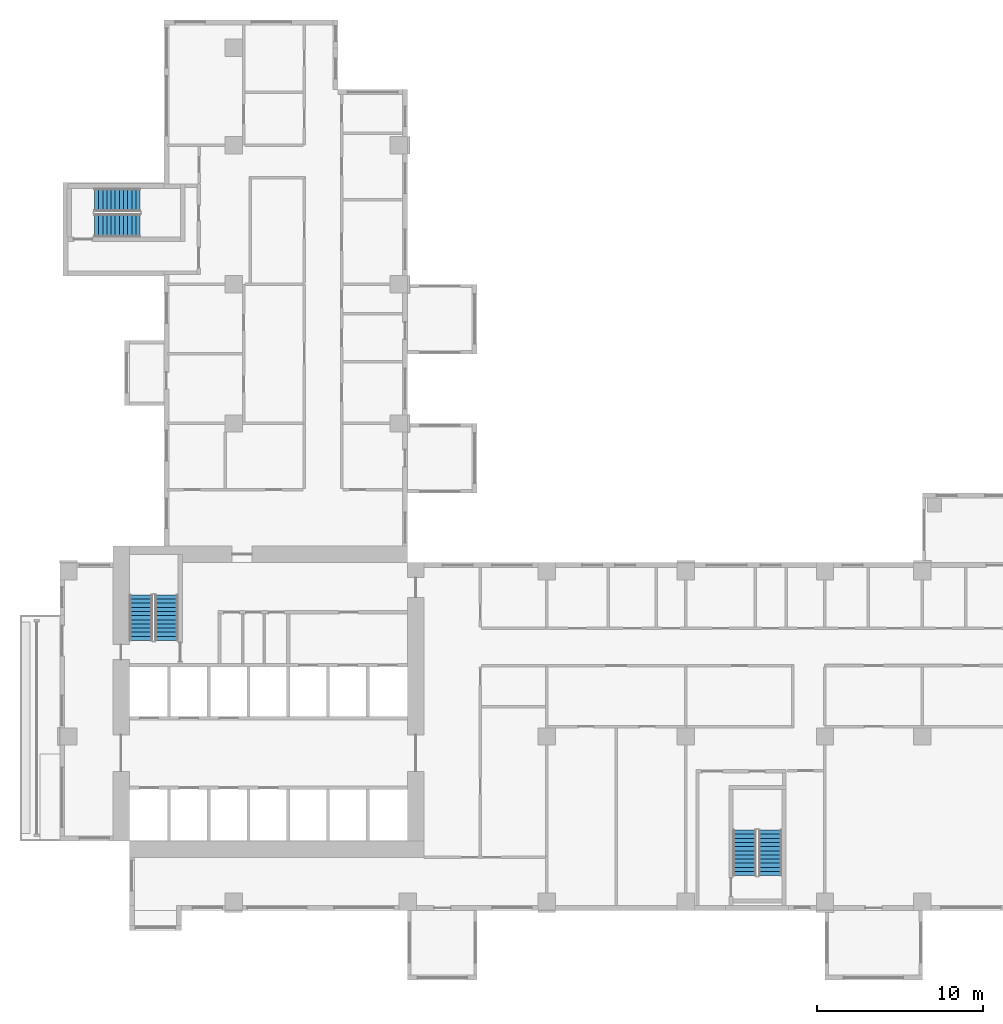
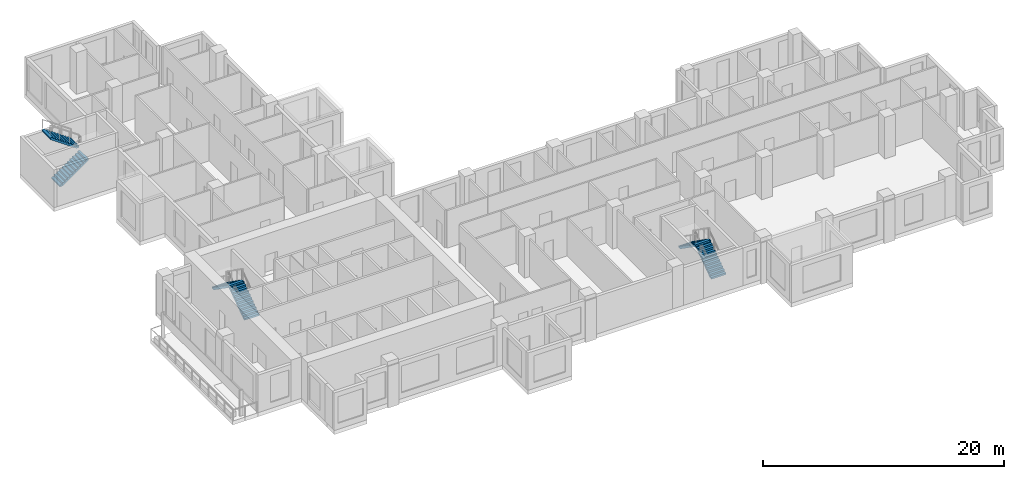
# One storey, part 9 of 14: 6 stair flights, 3 elements without a shape of their own.
"""IFC4 building model written with IfcOpenShell, lengths in metres."""

from ifc_helpers import new_model, si_unit, direction, frame, origin, place, context, subcontext, project, spatial, polyline, outline, extrude, source, transform, mapped, material, type_object, element, aggregate, save


model = new_model("IFC4")

# Units and contexts
model_context = context("Model", 3, precision=1e-05, world=origin(), true_north=direction((0.0, 1.0)))
body_context = subcontext(model_context, "Body", "Model", "MODEL_VIEW")
ifc_project = project(units=[si_unit("LENGTHUNIT", "METRE"), si_unit("AREAUNIT", "SQUARE_METRE"), si_unit("VOLUMEUNIT", "CUBIC_METRE"), si_unit("PLANEANGLEUNIT", "RADIAN"), si_unit("MASSUNIT", "GRAM", prefix="KILO")], contexts=[model_context])

# Site, building, storey
site_placement = place(None, origin())
site = spatial("IfcSite", under=ifc_project, at=site_placement, CompositionType="ELEMENT")
building_placement = place(site_placement, origin())
building = spatial("IfcBuilding", under=site, at=building_placement, Name="Aurelian Terraces", CompositionType="ELEMENT")
storey_placement = place(building_placement, frame((0.0, 0.0, 111.9)))
storey = spatial("IfcBuildingStorey", under=building, at=storey_placement, Name="L24", CompositionType="ELEMENT", Elevation=111.9)

# Stair, stair flights
ifc_material = material(Name="Concrete fc' 40 MPa", Category="concrete")
stair_type = type_object("IfcStairType", Name="Stair 1400", PredefinedType="HALF_TURN_STAIR", material=ifc_material)
stair_1_placement = place(storey_placement, origin())
stair_1 = element("IfcStair", 1, at=stair_1_placement, inside=storey, type_object=stair_type, Name="L24 S1", PredefinedType="HALF_TURN_STAIR")
stair_flight_type = type_object("IfcStairFlightType", Name="Stair flight 1400", PredefinedType="STRAIGHT", material=ifc_material)
shared_shape = source(origin(), body_context, "Body", "SweptSolid", [
    extrude(outline(polyline([(0.0, 0.0), (0.0, 0.175), (0.25, 0.175), (0.25, 0.35), (0.5, 0.35), (0.5, 0.525), (0.75, 0.525), (0.75, 0.7), (1.0, 0.7), (1.0, 0.875), (1.25, 0.875), (1.25, 1.05), (1.5, 1.05), (1.5, 1.225), (1.75, 1.225), (1.75, 1.4), (2.0, 1.4), (2.0, 1.575), (2.25, 1.575), (2.25, 1.75), (2.5, 1.75), (2.5, 1.925), (2.75, 1.925), (2.75, 2.1), (2.75, 1.7419), (0.2616, 0.0), (0.0, 0.0)])), frame((0.0, 0.7, 0.0), z_axis=(0.0, -1.0, 0.0), x_axis=(1.0, 0.0, 0.0)), (0.0, 0.0, 1.0), 1.4),
])
stair_flight_1_placement = place(storey_placement, frame((6.45, 16.3, 2e-08), z_axis=(0.0, 0.0, 1.0), x_axis=(0.0, 1.0, 0.0)))
stair_flight_1 = element("IfcStairFlight", 2, at=stair_flight_1_placement, type_object=stair_flight_type, Name="S1 flight 1", NumberOfRisers=12, NumberOfTreads=11, PredefinedType="STRAIGHT", RiserHeight=0.175, TreadLength=0.25, context=body_context, shape_type="MappedRepresentation", body=[
    mapped(shared_shape, transform((0.0, 0.0, 0.0), scale=1.0)),
])
stair_flight_2_placement = place(storey_placement, frame((4.9, 19.05, 2.100000019999994), z_axis=(0.0, 0.0, 1.0), x_axis=(0.0, -1.0, 0.0)))
stair_flight_2 = element("IfcStairFlight", 3, at=stair_flight_2_placement, type_object=stair_flight_type, Name="S1 flight 2", NumberOfRisers=12, NumberOfTreads=11, PredefinedType="STRAIGHT", RiserHeight=0.175, TreadLength=0.25, context=body_context, shape_type="MappedRepresentation", body=[
    mapped(shared_shape, transform((0.0, 0.0, 0.0), scale=1.0)),
])
aggregate(stair_1, [stair_flight_1, stair_flight_2])

stair_2_placement = place(storey_placement, origin())
stair_2 = element("IfcStair", 4, at=stair_2_placement, inside=storey, type_object=stair_type, Name="L24 S2", PredefinedType="HALF_TURN_STAIR")
stair_flight_3_placement = place(storey_placement, frame((42.9, 2.1, 2e-08), z_axis=(0.0, 0.0, 1.0), x_axis=(0.0, 1.0, 0.0)))
stair_flight_3 = element("IfcStairFlight", 5, at=stair_flight_3_placement, type_object=stair_flight_type, Name="S2 flight 1", NumberOfRisers=12, NumberOfTreads=11, PredefinedType="STRAIGHT", RiserHeight=0.175, TreadLength=0.25, context=body_context, shape_type="MappedRepresentation", body=[
    mapped(shared_shape, transform((0.0, 0.0, 0.0), scale=1.0)),
])
stair_flight_4_placement = place(storey_placement, frame((41.35, 4.85, 2.100000019999994), z_axis=(0.0, 0.0, 1.0), x_axis=(0.0, -1.0, 0.0)))
stair_flight_4 = element("IfcStairFlight", 6, at=stair_flight_4_placement, type_object=stair_flight_type, Name="S2 flight 2", NumberOfRisers=12, NumberOfTreads=11, PredefinedType="STRAIGHT", RiserHeight=0.175, TreadLength=0.25, context=body_context, shape_type="MappedRepresentation", body=[
    mapped(shared_shape, transform((0.0, 0.0, 0.0), scale=1.0)),
])
aggregate(stair_2, [stair_flight_3, stair_flight_4])

stair_3_placement = place(storey_placement, origin())
stair_3 = element("IfcStair", 7, at=stair_3_placement, inside=storey, type_object=stair_type, Name="L24 S3", PredefinedType="HALF_TURN_STAIR")
stair_flight_5_placement = place(storey_placement, frame((2.1, 41.35, 2e-08), z_axis=(0.0, 0.0, 1.0), x_axis=(1.0, 0.0, 0.0)))
stair_flight_5 = element("IfcStairFlight", 8, at=stair_flight_5_placement, type_object=stair_flight_type, Name="S3 flight 1", NumberOfRisers=12, NumberOfTreads=11, PredefinedType="STRAIGHT", RiserHeight=0.175, TreadLength=0.25, context=body_context, shape_type="MappedRepresentation", body=[
    mapped(shared_shape, transform((0.0, 0.0, 0.0), scale=1.0)),
])
stair_flight_6_placement = place(storey_placement, frame((4.85, 42.9, 2.100000019999994), z_axis=(0.0, 0.0, 1.0), x_axis=(-1.0, 0.0, 0.0)))
stair_flight_6 = element("IfcStairFlight", 9, at=stair_flight_6_placement, type_object=stair_flight_type, Name="S3 flight 2", NumberOfRisers=12, NumberOfTreads=11, PredefinedType="STRAIGHT", RiserHeight=0.175, TreadLength=0.25, context=body_context, shape_type="MappedRepresentation", body=[
    mapped(shared_shape, transform((0.0, 0.0, 0.0), scale=1.0)),
])
aggregate(stair_3, [stair_flight_5, stair_flight_6])

save(model, "model.ifc")
